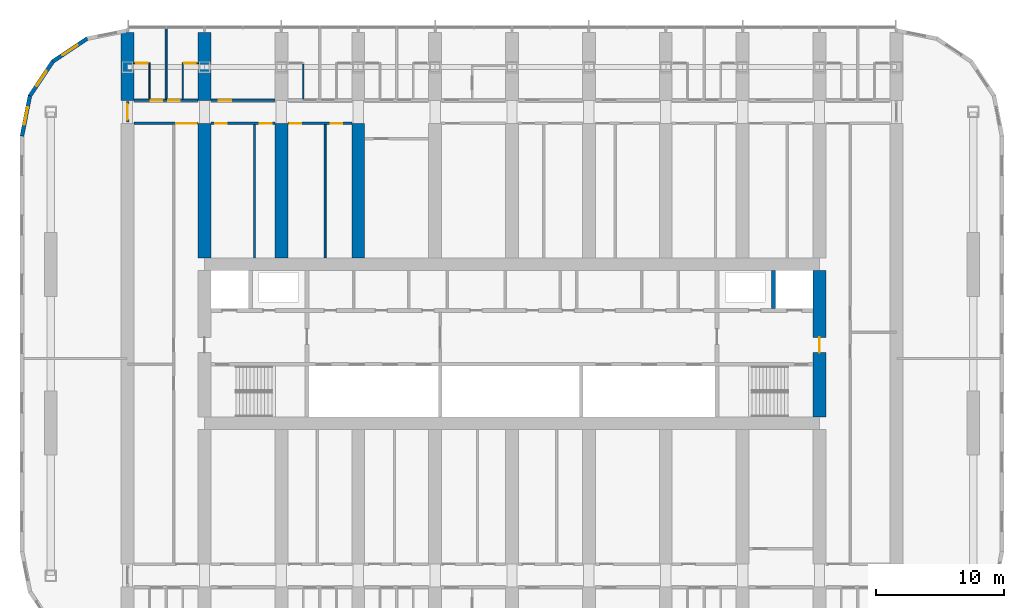
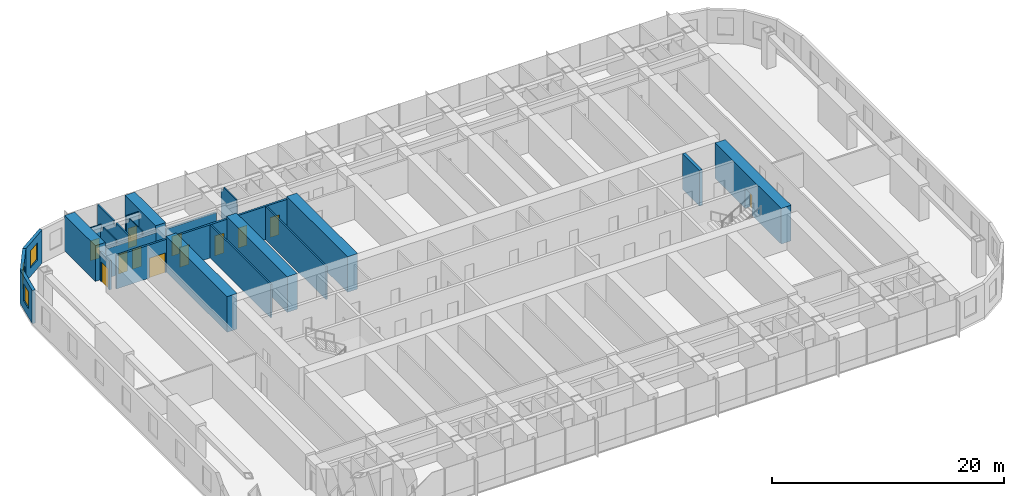
# One storey, part 14 of 23: 24 walls, 12 doors, 3 windows, 15 openings.
"""IFC4 building model written with IfcOpenShell, lengths in metres."""

from ifc_helpers import new_model, si_unit, direction, frame, frame_2d, origin, place, context, subcontext, project, spatial, polyline, rectangle, outline, extrude, material, layer, layer_set, type_object, element, fill, save


model = new_model("IFC4")

# Units and contexts
model_context = context("Model", 3, precision=1e-05, world=origin(), true_north=direction((0.0, 1.0)))
body_context = subcontext(model_context, "Body", "Model", "MODEL_VIEW")
ifc_project = project(units=[si_unit("LENGTHUNIT", "METRE"), si_unit("AREAUNIT", "SQUARE_METRE"), si_unit("VOLUMEUNIT", "CUBIC_METRE"), si_unit("PLANEANGLEUNIT", "RADIAN"), si_unit("MASSUNIT", "GRAM", prefix="KILO")], contexts=[model_context])

# Site, building, storey
site_placement = place(None, origin())
site = spatial("IfcSite", under=ifc_project, at=site_placement, CompositionType="ELEMENT")
building_placement = place(site_placement, origin())
building = spatial("IfcBuilding", under=site, at=building_placement, Name="Orbita Commons", CompositionType="ELEMENT")
storey_placement = place(building_placement, frame((0.0, 0.0, 46.449951171875)))
storey = spatial("IfcBuildingStorey", under=building, at=storey_placement, Name="L11", CompositionType="ELEMENT", Elevation=46.449951171875)

# Wall
ifc_material_1 = material(Name="Concrete C50/60", Category="concrete")
ifc_layer_1 = layer(ifc_material_1, 0.300048828125)
ifc_layer_set_1 = layer_set([ifc_layer_1], Name="Concrete C50/60")
wall_type_1 = type_object("IfcWallType", Name="Core inner wall 300 C50/60", PredefinedType="SHEAR", material=ifc_layer_set_1)
wall_1_placement = place(storey_placement, frame((62.39990234375, 34.75, 0.0), z_axis=(0.0, 0.0, 1.0), x_axis=(0.0, 1.0, 0.0)))
element("IfcWall", 1, at=wall_1_placement, inside=storey, type_object=wall_type_1, Name="Firefighting lift FL2 shaft wall L11", PredefinedType="SHEAR", context=body_context, shape_type="SweptSolid", body=[
    extrude(rectangle(XDim=2.949951171875, YDim=0.300048828125, at=frame_2d((1.47509765625, 0.0))), origin(), (0.0, 0.0, 1.0), 3.75),
])

# Wall, opening, door
ifc_material_2 = material(Name="Concrete C50/60", Category="concrete")
ifc_layer_2 = layer(ifc_material_2, 1.0)
ifc_layer_set_2 = layer_set([ifc_layer_2], Name="Concrete C50/60")
wall_type_2 = type_object("IfcWallType", Name="Core wall 1000 C50/60", PredefinedType="SHEAR", material=ifc_layer_set_2)
wall_2_placement = place(storey_placement, frame((66.0, 26.300048828125, 0.0), z_axis=(0.0, 0.0, 1.0), x_axis=(0.0, 1.0, 0.0)))
wall_2 = element("IfcWall", 2, at=wall_2_placement, inside=storey, type_object=wall_type_2, Name="Core end wall east L11", PredefinedType="SHEAR", context=body_context, shape_type="SweptSolid", body=[
    extrude(rectangle(XDim=11.39990234375, YDim=1.0, at=frame_2d((5.699951171875, 0.0))), origin(), (0.0, 0.0, 1.0), 3.75),
])
opening_1_placement = place(wall_2_placement, frame((5.0, 0.0, 0.0)))
opening_1 = element("IfcOpeningElement", 3, at=opening_1_placement, cuts=wall_2, Name="Opening D01", PredefinedType="OPENING", context=body_context, shape_type="SweptSolid", body=[
    extrude(rectangle(XDim=1.199951171875, YDim=2.10009765625, at=frame_2d((0.60009765625, 1.050048828125))), frame((0.0, 0.510009765625, 0.0), z_axis=(0.0, -1.0, 0.0), x_axis=(1.0, 0.0, 0.0)), (0.0, 0.0, 1.0), 1.02001953125),
])
ifc_material_3 = material(Name="Steel-faced fire door leaf", Category="steel")
door_type_1 = type_object("IfcDoorType", Name="Fire door 90 min 1200x2100", OperationType="SINGLE_SWING_LEFT", PredefinedType="DOOR", material=ifc_material_3)
door_1_placement = place(opening_1_placement, origin())
door_1 = element("IfcDoor", 4, at=door_1_placement, inside=storey, type_object=door_type_1, Name="Firefighting lobby east door", OperationType="SINGLE_SWING_LEFT", OverallHeight=2.10009765625, OverallWidth=1.199951171875, PredefinedType="DOOR", context=body_context, shape_type="SweptSolid", body=[
    extrude(rectangle(XDim=1.199951171875, YDim=2.10009765625, at=frame_2d((0.60009765625, 1.050048828125))), frame((0.0, 0.02490234375, 0.0), z_axis=(0.0, -1.0, 0.0), x_axis=(1.0, 0.0, 0.0)), (0.0, 0.0, 1.0), 0.050048828125),
])
fill(opening_1, door_1)

# Wall, openings, doors
ifc_material_4 = material(Name="Concrete blockwork", Category="masonry")
ifc_layer_3 = layer(ifc_material_4, 0.199951171875)
ifc_layer_set_3 = layer_set([ifc_layer_3], Name="Concrete blockwork")
wall_type_3 = type_object("IfcWallType", Name="Corridor wall 200 blockwork", PredefinedType="SOLIDWALL", material=ifc_layer_set_3)
wall_3_placement = place(storey_placement, frame((12.5, 51.0, 0.0), z_axis=(0.0, 0.0, 1.0), x_axis=(1.0, 0.0, 0.0)))
wall_3 = element("IfcWall", 5, at=wall_3_placement, inside=storey, type_object=wall_type_3, Name="Corridor wall 200 blockwork L11", PredefinedType="SOLIDWALL", context=body_context, shape_type="SweptSolid", body=[
    extrude(outline(polyline([(0.0, 0.0), (5.0, 0.0), (5.0, 3.10009765625), (0.0, 3.10009765625), (0.0, 0.0)])), frame((0.0, 0.10009765625, 0.0), z_axis=(0.0, -1.0, 0.0), x_axis=(1.0, 0.0, 0.0)), (0.0, 0.0, 1.0), 0.199951171875),
])
opening_2_placement = place(wall_3_placement, frame((1.300048828125, 0.0, 0.0)))
opening_2 = element("IfcOpeningElement", 6, at=opening_2_placement, cuts=wall_3, Name="Opening D11", PredefinedType="OPENING", context=body_context, shape_type="SweptSolid", body=[
    extrude(rectangle(XDim=0.89990234375, YDim=2.10009765625, at=frame_2d((0.449951171875, 1.050048828125))), frame((0.0, 0.10986328125, 0.0), z_axis=(0.0, -1.0, 0.0), x_axis=(1.0, 0.0, 0.0)), (0.0, 0.0, 1.0), 0.219970703125),
])
opening_3_placement = place(wall_3_placement, frame((2.675048828125, 0.0, 0.0)))
opening_3 = element("IfcOpeningElement", 7, at=opening_3_placement, cuts=wall_3, Name="Opening D11", PredefinedType="OPENING", context=body_context, shape_type="SweptSolid", body=[
    extrude(rectangle(XDim=0.89990234375, YDim=2.10009765625, at=frame_2d((0.449951171875, 1.050048828125))), frame((0.0, 0.10986328125, 0.0), z_axis=(0.0, -1.0, 0.0), x_axis=(1.0, 0.0, 0.0)), (0.0, 0.0, 1.0), 0.219970703125),
])
ifc_material_5 = material(Name="Steel-faced fire door leaf", Category="steel")
door_type_2 = type_object("IfcDoorType", Name="Corridor door 20 min 900x2100", OperationType="SINGLE_SWING_LEFT", PredefinedType="DOOR", material=ifc_material_5)
door_2_placement = place(opening_2_placement, origin())
door_2 = element("IfcDoor", 8, at=door_2_placement, inside=storey, type_object=door_type_2, Name="House bedroom L11-N00 door", OperationType="SINGLE_SWING_LEFT", OverallHeight=2.10009765625, OverallWidth=0.89990234375, PredefinedType="DOOR", context=body_context, shape_type="SweptSolid", body=[
    extrude(rectangle(XDim=0.89990234375, YDim=2.10009765625, at=frame_2d((0.449951171875, 1.050048828125))), frame((0.0, 0.02490234375, 0.0), z_axis=(0.0, -1.0, 0.0), x_axis=(1.0, 0.0, 0.0)), (0.0, 0.0, 1.0), 0.050048828125),
])
fill(opening_2, door_2)
door_3_placement = place(opening_3_placement, origin())
door_3 = element("IfcDoor", 9, at=door_3_placement, inside=storey, type_object=door_type_2, Name="House bedroom L11-N01 door", OperationType="SINGLE_SWING_LEFT", OverallHeight=2.10009765625, OverallWidth=0.89990234375, PredefinedType="DOOR", context=body_context, shape_type="SweptSolid", body=[
    extrude(rectangle(XDim=0.89990234375, YDim=2.10009765625, at=frame_2d((0.449951171875, 1.050048828125))), frame((0.0, 0.02490234375, 0.0), z_axis=(0.0, -1.0, 0.0), x_axis=(1.0, 0.0, 0.0)), (0.0, 0.0, 1.0), 0.050048828125),
])
fill(opening_3, door_3)

# Wall, opening, door
wall_4_placement = place(storey_placement, frame((18.5, 51.0, 0.0), z_axis=(0.0, 0.0, 1.0), x_axis=(1.0, 0.0, 0.0)))
wall_4 = element("IfcWall", 10, at=wall_4_placement, inside=storey, type_object=wall_type_3, Name="Corridor wall 200 blockwork L11", PredefinedType="SOLIDWALL", context=body_context, shape_type="SweptSolid", body=[
    extrude(outline(polyline([(0.0, 0.0), (5.0, 0.0), (5.0, 3.10009765625), (0.0, 3.10009765625), (0.0, 0.0)])), frame((0.0, 0.10009765625, 0.0), z_axis=(0.0, -1.0, 0.0), x_axis=(1.0, 0.0, 0.0)), (0.0, 0.0, 1.0), 0.199951171875),
])
opening_4_placement = place(wall_4_placement, frame((0.60009765625, 0.0, 0.0)))
opening_4 = element("IfcOpeningElement", 11, at=opening_4_placement, cuts=wall_4, Name="Opening D06", PredefinedType="OPENING", context=body_context, shape_type="SweptSolid", body=[
    extrude(rectangle(XDim=1.0, YDim=2.10009765625, at=frame_2d((0.5, 1.050048828125))), frame((0.0, 0.10986328125, 0.0), z_axis=(0.0, -1.0, 0.0), x_axis=(1.0, 0.0, 0.0)), (0.0, 0.0, 1.0), 0.219970703125),
])
ifc_material_6 = material(Name="Steel-faced fire door leaf", Category="steel")
door_type_3 = type_object("IfcDoorType", Name="Corridor door 20 min 1000x2100", OperationType="SINGLE_SWING_LEFT", PredefinedType="DOOR", material=ifc_material_6)
door_4_placement = place(opening_4_placement, origin())
door_4 = element("IfcDoor", 12, at=door_4_placement, inside=storey, type_object=door_type_3, Name="House common room L11-N02 door", OperationType="SINGLE_SWING_LEFT", OverallHeight=2.10009765625, OverallWidth=1.0, PredefinedType="DOOR", context=body_context, shape_type="SweptSolid", body=[
    extrude(rectangle(XDim=1.0, YDim=2.10009765625, at=frame_2d((0.5, 1.050048828125))), frame((0.0, 0.02490234375, 0.0), z_axis=(0.0, -1.0, 0.0), x_axis=(1.0, 0.0, 0.0)), (0.0, 0.0, 1.0), 0.050048828125),
])
fill(opening_4, door_4)

wall_5_placement = place(storey_placement, frame((12.0, 49.300048828125, 0.0), z_axis=(0.0, 0.0, 1.0), x_axis=(0.0, 1.0, 0.0)))
wall_5 = element("IfcWall", 13, at=wall_5_placement, inside=storey, type_object=wall_type_3, Name="Corridor wall 200 blockwork L11", PredefinedType="SOLIDWALL", context=body_context, shape_type="SweptSolid", body=[
    extrude(outline(polyline([(0.0, 0.0), (1.599853515625, 0.0), (1.60009765625, 3.050048828125), (0.0, 3.050048828125), (0.0, 0.0)])), frame((0.0, 0.10009765625, 0.0), z_axis=(0.0, -1.0, 0.0), x_axis=(1.0, 0.0, 0.0)), (0.0, 0.0, 1.0), 0.199951171875),
])
opening_5_placement = place(wall_5_placement, frame((0.199951171875, 0.0, 0.0)))
opening_5 = element("IfcOpeningElement", 14, at=opening_5_placement, cuts=wall_5, Name="Opening D12", PredefinedType="OPENING", context=body_context, shape_type="SweptSolid", body=[
    extrude(rectangle(XDim=1.199951171875, YDim=2.10009765625, at=frame_2d((0.60009765625, 1.050048828125))), frame((0.0, 0.10986328125, 0.0), z_axis=(0.0, -1.0, 0.0), x_axis=(1.0, 0.0, 0.0)), (0.0, 0.0, 1.0), 0.219970703125),
])
ifc_material_7 = material(Name="Steel-faced fire door leaf", Category="steel")
door_type_4 = type_object("IfcDoorType", Name="Double corridor door 20 min 1200x2100", OperationType="DOUBLE_DOOR_SINGLE_SWING", PredefinedType="DOOR", material=ifc_material_7)
door_5_placement = place(opening_5_placement, origin())
door_5 = element("IfcDoor", 15, at=door_5_placement, inside=storey, type_object=door_type_4, Name="Lounge doors", OperationType="DOUBLE_DOOR_SINGLE_SWING", OverallHeight=2.10009765625, OverallWidth=1.199951171875, PredefinedType="DOOR", context=body_context, shape_type="SweptSolid", body=[
    extrude(rectangle(XDim=1.199951171875, YDim=2.10009765625, at=frame_2d((0.60009765625, 1.050048828125))), frame((0.0, 0.02490234375, 0.0), z_axis=(0.0, -1.0, 0.0), x_axis=(1.0, 0.0, 0.0)), (0.0, 0.0, 1.0), 0.050048828125),
])
fill(opening_5, door_5)

ifc_material_8 = material(Name="Hollow concrete block 200", Category="concrete")
ifc_layer_4 = layer(ifc_material_8, 0.199951171875)
ifc_layer_set_4 = layer_set([ifc_layer_4], Name="Hollow concrete block 200")
wall_type_4 = type_object("IfcWallType", Name="Corridor wall 200 hollow concrete block", PredefinedType="SOLIDWALL", material=ifc_layer_set_4)
wall_6_placement = place(storey_placement, frame((12.5, 49.199951171875, 0.0), z_axis=(0.0, 0.0, 1.0), x_axis=(1.0, 0.0, 0.0)))
wall_6 = element("IfcWall", 16, at=wall_6_placement, inside=storey, type_object=wall_type_4, Name="Corridor wall 200 hollow concrete block L11", PredefinedType="SOLIDWALL", context=body_context, shape_type="SweptSolid", body=[
    extrude(rectangle(XDim=5.0, YDim=0.199951171875, at=frame_2d((2.5, 0.0))), origin(), (0.0, 0.0, 1.0), 3.5),
])
opening_6_placement = place(wall_6_placement, frame((3.300048828125, 0.0, 0.0)))
opening_6 = element("IfcOpeningElement", 17, at=opening_6_placement, cuts=wall_6, Name="Opening D10", PredefinedType="OPENING", context=body_context, shape_type="SweptSolid", body=[
    extrude(rectangle(XDim=1.60009765625, YDim=2.10009765625, at=frame_2d((0.800048828125, 1.050048828125))), frame((0.0, 0.10986328125, 0.0), z_axis=(0.0, -1.0, 0.0), x_axis=(1.0, 0.0, 0.0)), (0.0, 0.0, 1.0), 0.219970703125),
])
ifc_material_9 = material(Name="Steel-faced fire door leaf", Category="steel")
door_type_5 = type_object("IfcDoorType", Name="Double corridor door 20 min 1600x2100", OperationType="DOUBLE_DOOR_SINGLE_SWING", PredefinedType="DOOR", material=ifc_material_9)
door_6_placement = place(opening_6_placement, origin())
door_6 = element("IfcDoor", 18, at=door_6_placement, inside=storey, type_object=door_type_5, Name="Cross corridor doors", OperationType="DOUBLE_DOOR_SINGLE_SWING", OverallHeight=2.10009765625, OverallWidth=1.60009765625, PredefinedType="DOOR", context=body_context, shape_type="SweptSolid", body=[
    extrude(rectangle(XDim=1.60009765625, YDim=2.10009765625, at=frame_2d((0.800048828125, 1.050048828125))), frame((0.0, 0.02490234375, 0.0), z_axis=(0.0, -1.0, 0.0), x_axis=(1.0, 0.0, 0.0)), (0.0, 0.0, 1.0), 0.050048828125),
])
fill(opening_6, door_6)

# Wall, openings, doors
wall_7_placement = place(storey_placement, frame((18.5, 49.199951171875, 0.0), z_axis=(0.0, 0.0, 1.0), x_axis=(1.0, 0.0, 0.0)))
wall_7 = element("IfcWall", 19, at=wall_7_placement, inside=storey, type_object=wall_type_4, Name="Corridor wall 200 hollow concrete block L11", PredefinedType="SOLIDWALL", context=body_context, shape_type="SweptSolid", body=[
    extrude(rectangle(XDim=5.0, YDim=0.199951171875, at=frame_2d((2.5, 0.0))), origin(), (0.0, 0.0, 1.0), 3.5),
])
opening_7_placement = place(wall_7_placement, frame((0.35009765625, 0.0, 0.0)))
opening_7 = element("IfcOpeningElement", 20, at=opening_7_placement, cuts=wall_7, Name="Opening D11", PredefinedType="OPENING", context=body_context, shape_type="SweptSolid", body=[
    extrude(rectangle(XDim=0.89990234375, YDim=2.10009765625, at=frame_2d((0.449951171875, 1.050048828125))), frame((0.0, 0.10986328125, 0.0), z_axis=(0.0, -1.0, 0.0), x_axis=(1.0, 0.0, 0.0)), (0.0, 0.0, 1.0), 0.219970703125),
])
opening_8_placement = place(wall_7_placement, frame((3.830078125, 0.0, 0.0)))
opening_8 = element("IfcOpeningElement", 21, at=opening_8_placement, cuts=wall_7, Name="Opening D11", PredefinedType="OPENING", context=body_context, shape_type="SweptSolid", body=[
    extrude(rectangle(XDim=0.89990234375, YDim=2.10009765625, at=frame_2d((0.449951171875, 1.050048828125))), frame((0.0, 0.10986328125, 0.0), z_axis=(0.0, -1.0, 0.0), x_axis=(1.0, 0.0, 0.0)), (0.0, 0.0, 1.0), 0.219970703125),
])
door_7_placement = place(opening_7_placement, origin())
door_7 = element("IfcDoor", 22, at=door_7_placement, inside=storey, type_object=door_type_2, Name="Storage lockers L11-BDN18 door", OperationType="SINGLE_SWING_LEFT", OverallHeight=2.10009765625, OverallWidth=0.89990234375, PredefinedType="DOOR", context=body_context, shape_type="SweptSolid", body=[
    extrude(rectangle(XDim=0.89990234375, YDim=2.10009765625, at=frame_2d((0.449951171875, 1.050048828125))), frame((0.0, 0.02490234375, 0.0), z_axis=(0.0, -1.0, 0.0), x_axis=(1.0, 0.0, 0.0)), (0.0, 0.0, 1.0), 0.050048828125),
])
fill(opening_7, door_7)
door_8_placement = place(opening_8_placement, origin())
door_8 = element("IfcDoor", 23, at=door_8_placement, inside=storey, type_object=door_type_2, Name="Battery and UPS room L11-BDN18n door", OperationType="SINGLE_SWING_LEFT", OverallHeight=2.10009765625, OverallWidth=0.89990234375, PredefinedType="DOOR", context=body_context, shape_type="SweptSolid", body=[
    extrude(rectangle(XDim=0.89990234375, YDim=2.10009765625, at=frame_2d((0.449951171875, 1.050048828125))), frame((0.0, 0.02490234375, 0.0), z_axis=(0.0, -1.0, 0.0), x_axis=(1.0, 0.0, 0.0)), (0.0, 0.0, 1.0), 0.050048828125),
])
fill(opening_8, door_8)

wall_8_placement = place(storey_placement, frame((24.5, 49.199951171875, 0.0), z_axis=(0.0, 0.0, 1.0), x_axis=(1.0, 0.0, 0.0)))
wall_8 = element("IfcWall", 24, at=wall_8_placement, inside=storey, type_object=wall_type_4, Name="Corridor wall 200 hollow concrete block L11", PredefinedType="SOLIDWALL", context=body_context, shape_type="SweptSolid", body=[
    extrude(rectangle(XDim=5.0, YDim=0.199951171875, at=frame_2d((2.5, 0.0))), origin(), (0.0, 0.0, 1.0), 3.5),
])
opening_9_placement = place(wall_8_placement, frame((0.14990234375, 0.0, 0.0)))
opening_9 = element("IfcOpeningElement", 25, at=opening_9_placement, cuts=wall_8, Name="Opening D11", PredefinedType="OPENING", context=body_context, shape_type="SweptSolid", body=[
    extrude(rectangle(XDim=0.89990234375, YDim=2.10009765625, at=frame_2d((0.449951171875, 1.050048828125))), frame((0.0, 0.10986328125, 0.0), z_axis=(0.0, -1.0, 0.0), x_axis=(1.0, 0.0, 0.0)), (0.0, 0.0, 1.0), 0.219970703125),
])
opening_10_placement = place(wall_8_placement, frame((3.3349609375, 0.0, 0.0)))
opening_10 = element("IfcOpeningElement", 26, at=opening_10_placement, cuts=wall_8, Name="Opening D11", PredefinedType="OPENING", context=body_context, shape_type="SweptSolid", body=[
    extrude(rectangle(XDim=0.89990234375, YDim=2.10009765625, at=frame_2d((0.449951171875, 1.050048828125))), frame((0.0, 0.10986328125, 0.0), z_axis=(0.0, -1.0, 0.0), x_axis=(1.0, 0.0, 0.0)), (0.0, 0.0, 1.0), 0.219970703125),
])
door_9_placement = place(opening_9_placement, origin())
door_9 = element("IfcDoor", 27, at=door_9_placement, inside=storey, type_object=door_type_2, Name="Ventilation plant room south L11-BDN24 door", OperationType="SINGLE_SWING_LEFT", OverallHeight=2.10009765625, OverallWidth=0.89990234375, PredefinedType="DOOR", context=body_context, shape_type="SweptSolid", body=[
    extrude(rectangle(XDim=0.89990234375, YDim=2.10009765625, at=frame_2d((0.449951171875, 1.050048828125))), frame((0.0, 0.02490234375, 0.0), z_axis=(0.0, -1.0, 0.0), x_axis=(1.0, 0.0, 0.0)), (0.0, 0.0, 1.0), 0.050048828125),
])
fill(opening_9, door_9)
door_10_placement = place(opening_10_placement, origin())
door_10 = element("IfcDoor", 28, at=door_10_placement, inside=storey, type_object=door_type_2, Name="Sprinkler valve room L11-BDN24n door", OperationType="SINGLE_SWING_LEFT", OverallHeight=2.10009765625, OverallWidth=0.89990234375, PredefinedType="DOOR", context=body_context, shape_type="SweptSolid", body=[
    extrude(rectangle(XDim=0.89990234375, YDim=2.10009765625, at=frame_2d((0.449951171875, 1.050048828125))), frame((0.0, 0.02490234375, 0.0), z_axis=(0.0, -1.0, 0.0), x_axis=(1.0, 0.0, 0.0)), (0.0, 0.0, 1.0), 0.050048828125),
])
fill(opening_10, door_10)

# Walls
ifc_material_10 = material(Name="Concrete C50/60", Category="concrete")
ifc_layer_5 = layer(ifc_material_10, 1.0)
ifc_layer_set_5 = layer_set([ifc_layer_5], Name="Concrete C50/60")
wall_type_5 = type_object("IfcWallType", Name="Cross wall 1000 C50/60", PredefinedType="SHEAR", material=ifc_layer_set_5)
for number, where, z_axis, x_axis, name in (
    (29, (12.0, 51.0, 0.0), (0.0, 0.0, 1.0), (0.0, 1.0, 0.0), "Cross wall 3 north outer L11"),
    (30, (18.0, 51.0, 0.0), (0.0, 0.0, 1.0), (0.0, 1.0, 0.0), "Cross wall 4 north outer L11"),
):
    element("IfcWall", number, at=place(storey_placement, frame(where, z_axis=z_axis, x_axis=x_axis)), inside=storey, type_object=wall_type_5, Name=name, PredefinedType="SHEAR", context=body_context, shape_type="SweptSolid", body=[
        extrude(rectangle(XDim=5.300048828125, YDim=1.0, at=frame_2d((2.64990234375, 0.0))), origin(), (0.0, 0.0, 1.0), 3.75),
    ])
for number, where, z_axis, x_axis, name in (
    (31, (18.0, 38.699951171875, 0.0), (0.0, 0.0, 1.0), (0.0, 1.0, 0.0), "Cross wall 4 north inner L11"),
    (32, (24.0, 38.699951171875, 0.0), (0.0, 0.0, 1.0), (0.0, 1.0, 0.0), "Cross wall 5 north inner L11"),
    (33, (30.0, 38.699951171875, 0.0), (0.0, 0.0, 1.0), (0.0, 1.0, 0.0), "Cross wall 6 north inner L11"),
):
    element("IfcWall", number, at=place(storey_placement, frame(where, z_axis=z_axis, x_axis=x_axis)), inside=storey, type_object=wall_type_5, Name=name, PredefinedType="SHEAR", context=body_context, shape_type="SweptSolid", body=[
        extrude(rectangle(XDim=10.5, YDim=1.0, at=frame_2d((5.25, 0.0))), origin(), (0.0, 0.0, 1.0), 3.75),
    ])

# Wall, opening, door
ifc_material_11 = material(Name="Moisture-resistant plasterboard on steel studs", Category="steel")
ifc_layer_6 = layer(ifc_material_11, 0.10009765625)
ifc_layer_set_6 = layer_set([ifc_layer_6], Name="Moisture-resistant plasterboard on steel studs")
wall_type_6 = type_object("IfcWallType", Name="En-suite partition 100", PredefinedType="PARTITIONING", material=ifc_layer_set_6)
wall_9_placement = place(storey_placement, frame((12.449951171875, 53.89990234375, 0.0), z_axis=(0.0, 0.0, 1.0), x_axis=(1.0, 0.0, 0.0)))
wall_9 = element("IfcWall", 34, at=wall_9_placement, inside=storey, type_object=wall_type_6, Name="En-suite partition 100 L11", PredefinedType="PARTITIONING", context=body_context, shape_type="SweptSolid", body=[
    extrude(rectangle(XDim=1.300048828125, YDim=0.10009765625, at=frame_2d((0.64990234375, 0.0))), origin(), (0.0, 0.0, 1.0), 3.5),
])
opening_11_placement = place(wall_9_placement, frame((0.22509765625, 0.0, 0.0)))
opening_11 = element("IfcOpeningElement", 35, at=opening_11_placement, cuts=wall_9, Name="Opening D09", PredefinedType="OPENING", context=body_context, shape_type="SweptSolid", body=[
    extrude(rectangle(XDim=0.89990234375, YDim=2.10009765625, at=frame_2d((0.449951171875, 1.050048828125))), frame((0.0, 0.06005859375, 0.0), z_axis=(0.0, -1.0, 0.0), x_axis=(1.0, 0.0, 0.0)), (0.0, 0.0, 1.0), 0.1201171875),
])
ifc_material_12 = material(Name="Laminated timber door leaf", Category="wood")
door_type_6 = type_object("IfcDoorType", Name="En-suite door 900x2100", OperationType="SINGLE_SWING_RIGHT", PredefinedType="DOOR", material=ifc_material_12)
door_11_placement = place(opening_11_placement, origin())
door_11 = element("IfcDoor", 36, at=door_11_placement, inside=storey, type_object=door_type_6, Name="En-suite L11-N00 door", OperationType="SINGLE_SWING_RIGHT", OverallHeight=2.10009765625, OverallWidth=0.89990234375, PredefinedType="DOOR", context=body_context, shape_type="SweptSolid", body=[
    extrude(rectangle(XDim=0.89990234375, YDim=2.10009765625, at=frame_2d((0.449951171875, 1.050048828125))), frame((0.0, 0.02490234375, 0.0), z_axis=(0.0, -1.0, 0.0), x_axis=(1.0, 0.0, 0.0)), (0.0, 0.0, 1.0), 0.050048828125),
])
fill(opening_11, door_11)

# Wall
wall_10_placement = place(storey_placement, frame((13.699951171875, 53.85009765625, 0.0), z_axis=(0.0, 0.0, 1.0), x_axis=(0.0, -1.0, 0.0)))
element("IfcWall", 37, at=wall_10_placement, inside=storey, type_object=wall_type_6, Name="En-suite partition 100 L11", PredefinedType="PARTITIONING", context=body_context, shape_type="SweptSolid", body=[
    extrude(outline(polyline([(0.0, 0.0), (2.75, 0.0), (2.75, 3.10009765625), (2.701904296875, 3.10009765625), (2.699951171875, 3.5), (0.451904296875, 3.5), (0.449951171875, 3.10009765625), (0.0, 3.10009765625), (0.0, 0.0)])), frame((0.0, 0.050048828125, 0.0), z_axis=(0.0, -1.0, 0.0), x_axis=(1.0, 0.0, 0.0)), (0.0, 0.0, 1.0), 0.10009765625),
])

# Wall, opening, door
wall_11_placement = place(storey_placement, frame((16.25, 53.89990234375, 0.0), z_axis=(0.0, 0.0, 1.0), x_axis=(1.0, 0.0, 0.0)))
wall_11 = element("IfcWall", 38, at=wall_11_placement, inside=storey, type_object=wall_type_6, Name="En-suite partition 100 L11", PredefinedType="PARTITIONING", context=body_context, shape_type="SweptSolid", body=[
    extrude(rectangle(XDim=1.300048828125, YDim=0.10009765625, at=frame_2d((0.64990234375, 0.0))), origin(), (0.0, 0.0, 1.0), 3.5),
])
opening_12_placement = place(wall_11_placement, frame((0.175048828125, 0.0, 0.0)))
opening_12 = element("IfcOpeningElement", 39, at=opening_12_placement, cuts=wall_11, Name="Opening D09", PredefinedType="OPENING", context=body_context, shape_type="SweptSolid", body=[
    extrude(rectangle(XDim=0.89990234375, YDim=2.10009765625, at=frame_2d((0.449951171875, 1.050048828125))), frame((0.0, 0.06005859375, 0.0), z_axis=(0.0, -1.0, 0.0), x_axis=(1.0, 0.0, 0.0)), (0.0, 0.0, 1.0), 0.1201171875),
])
door_12_placement = place(opening_12_placement, origin())
door_12 = element("IfcDoor", 40, at=door_12_placement, inside=storey, type_object=door_type_6, Name="En-suite L11-N01 door", OperationType="SINGLE_SWING_RIGHT", OverallHeight=2.10009765625, OverallWidth=0.89990234375, PredefinedType="DOOR", context=body_context, shape_type="SweptSolid", body=[
    extrude(rectangle(XDim=0.89990234375, YDim=2.10009765625, at=frame_2d((0.449951171875, 1.050048828125))), frame((0.0, 0.02490234375, 0.0), z_axis=(0.0, -1.0, 0.0), x_axis=(1.0, 0.0, 0.0)), (0.0, 0.0, 1.0), 0.050048828125),
])
fill(opening_12, door_12)

# Walls
for number, where, z_axis, x_axis, name in (
    (41, (16.300048828125, 53.85009765625, 0.0), (0.0, 0.0, 1.0), (0.0, -1.0, 0.0), "En-suite partition 100 L11"),
    (42, (25.699951171875, 53.85009765625, 0.0), (0.0, 0.0, 1.0), (0.0, -1.0, 0.0), "En-suite partition 100 L11"),
):
    element("IfcWall", number, at=place(storey_placement, frame(where, z_axis=z_axis, x_axis=x_axis)), inside=storey, type_object=wall_type_6, Name=name, PredefinedType="PARTITIONING", context=body_context, shape_type="SweptSolid", body=[
        extrude(outline(polyline([(0.0, 0.0), (2.75, 0.0), (2.75, 3.10009765625), (2.701904296875, 3.10009765625), (2.699951171875, 3.5), (0.451904296875, 3.5), (0.449951171875, 3.10009765625), (0.0, 3.10009765625), (0.0, 0.0)])), frame((0.0, 0.050048828125, 0.0), z_axis=(0.0, -1.0, 0.0), x_axis=(1.0, 0.0, 0.0)), (0.0, 0.0, 1.0), 0.10009765625),
    ])
ifc_material_13 = material(Name="Gypsum plasterboard on steel studs", Category="steel")
ifc_layer_7 = layer(ifc_material_13, 0.14990234375)
ifc_layer_set_7 = layer_set([ifc_layer_7], Name="Gypsum plasterboard on steel studs")
wall_type_7 = type_object("IfcWallType", Name="Partition 150 plasterboard", PredefinedType="PARTITIONING", material=ifc_layer_set_7)
for number, where, z_axis, x_axis, name in (
    (43, (21.905029296875, 38.699951171875, 0.0), (0.0, 0.0, 1.0), (0.0, 1.0, 0.0), "Partition 150 plasterboard L11"),
    (44, (27.409912109375, 38.699951171875, 0.0), (0.0, 0.0, 1.0), (0.0, 1.0, 0.0), "Partition 150 plasterboard L11"),
):
    element("IfcWall", number, at=place(storey_placement, frame(where, z_axis=z_axis, x_axis=x_axis)), inside=storey, type_object=wall_type_7, Name=name, PredefinedType="PARTITIONING", context=body_context, shape_type="SweptSolid", body=[
        extrude(rectangle(XDim=10.400146484375, YDim=0.14990234375, at=frame_2d((5.2001953125, 0.0))), origin(), (0.0, 0.0, 1.0), 3.5),
    ])
ifc_material_14 = material(Name="Gypsum plasterboard on steel studs", Category="steel")
ifc_layer_8 = layer(ifc_material_14, 0.14990234375)
ifc_layer_set_8 = layer_set([ifc_layer_8], Name="Gypsum plasterboard on steel studs")
wall_type_8 = type_object("IfcWallType", Name="Party wall 150 plasterboard", PredefinedType="PARTITIONING", material=ifc_layer_set_8)
wall_12_placement = place(storey_placement, frame((15.0, 56.590087890625, 0.0), z_axis=(0.0, 0.0, 1.0), x_axis=(0.0, -1.0, 0.0)))
element("IfcWall", 45, at=wall_12_placement, inside=storey, type_object=wall_type_8, Name="Party wall 150 plasterboard L11", PredefinedType="PARTITIONING", context=body_context, shape_type="SweptSolid", body=[
    extrude(outline(polyline([(0.0, 0.0), (5.489990234375, 0.0), (5.489990234375, 3.10009765625), (5.44189453125, 3.10009765625), (5.43994140625, 3.5), (3.19189453125, 3.5), (3.18994140625, 3.10009765625), (2.7919921875, 3.10009765625), (2.7900390625, 3.5), (0.0, 3.5), (0.0, 0.0)])), frame((0.0, 0.074951171875, 0.0), z_axis=(0.0, -1.0, 0.0), x_axis=(1.0, 0.0, 0.0)), (0.0, 0.0, 1.0), 0.14990234375),
])

# Wall, opening, window
ifc_material_15 = material(Name="Precast concrete C40/50, white board-marked finish", Category="concrete")
ifc_layer_9 = layer(ifc_material_15, 0.300048828125)
ifc_layer_set_9 = layer_set([ifc_layer_9], Name="Precast concrete C40/50, white board-marked finish")
wall_type_9 = type_object("IfcWallType", Name="Precast concrete end shield 300", PredefinedType="SOLIDWALL", material=ifc_layer_set_9)
wall_13_placement = place(storey_placement, frame((8.843017578125, 55.822021484375, 0.0), z_axis=(0.0, 0.0, 1.0), x_axis=(-0.831478105043, -0.555557522525, 0.0)))
wall_13 = element("IfcWall", 46, at=wall_13_placement, inside=storey, type_object=wall_type_9, Name="End shield NW chord 2 L11", PredefinedType="SOLIDWALL", context=body_context, shape_type="SweptSolid", body=[
    extrude(outline(polyline([(-0.02978515625, -0.14990234375), (3.248779296875, -0.14990234375), (3.189208984375, 0.14990234375), (0.02978515625, 0.14990234375), (-0.02978515625, -0.14990234375)])), origin(), (0.0, 0.0, 1.0), 3.5),
])
opening_13_placement = place(wall_13_placement, frame((0.909423828125, 0.0, 0.89990234375)))
opening_13 = element("IfcOpeningElement", 47, at=opening_13_placement, cuts=wall_13, Name="Opening W02", PredefinedType="OPENING", context=body_context, shape_type="SweptSolid", body=[
    extrude(rectangle(XDim=1.39990234375, YDim=1.800048828125, at=frame_2d((0.699951171875, 0.89990234375))), frame((0.0, 0.159912109375, 0.0), z_axis=(0.0, -1.0, 0.0), x_axis=(1.0, 0.0, 0.0)), (0.0, 0.0, 1.0), 0.320068359375),
])
ifc_material_16 = material(Name="Aluminium frame, clear double glazing", Category="aluminium")
window_type = type_object("IfcWindowType", Name="Deep-set window 1400x1800", PartitioningType="SINGLE_PANEL", PredefinedType="WINDOW", material=ifc_material_16)
window_1_placement = place(opening_13_placement, origin())
window_1 = element("IfcWindow", 48, at=window_1_placement, inside=storey, type_object=window_type, Name="Window L11-NW1", OverallHeight=1.800048828125, OverallWidth=1.39990234375, PartitioningType="SINGLE_PANEL", PredefinedType="WINDOW", context=body_context, shape_type="SweptSolid", body=[
    extrude(rectangle(XDim=1.39990234375, YDim=1.800048828125, at=frame_2d((0.699951171875, 0.89990234375))), frame((0.0, 0.030029296875, 0.0), z_axis=(0.0, -1.0, 0.0), x_axis=(1.0, 0.0, 0.0)), (0.0, 0.0, 1.0), 0.06005859375),
])
fill(opening_13, window_1)

wall_14_placement = place(storey_placement, frame((6.16650390625, 54.03369140625, 0.0), z_axis=(0.0, 0.0, 1.0), x_axis=(-0.555609954424, -0.831443069936, 0.0)))
wall_14 = element("IfcWall", 49, at=wall_14_placement, inside=storey, type_object=wall_type_9, Name="End shield NW chord 3 L11", PredefinedType="SOLIDWALL", context=body_context, shape_type="SweptSolid", body=[
    extrude(outline(polyline([(-0.02978515625, -0.14990234375), (3.2490234375, -0.14990234375), (3.189453125, 0.14990234375), (0.02978515625, 0.14990234375), (-0.02978515625, -0.14990234375)])), origin(), (0.0, 0.0, 1.0), 3.5),
])
opening_14_placement = place(wall_14_placement, frame((0.909423828125, 0.0, 0.89990234375)))
opening_14 = element("IfcOpeningElement", 50, at=opening_14_placement, cuts=wall_14, Name="Opening W02", PredefinedType="OPENING", context=body_context, shape_type="SweptSolid", body=[
    extrude(rectangle(XDim=1.39990234375, YDim=1.800048828125, at=frame_2d((0.699951171875, 0.89990234375))), frame((0.0, 0.159912109375, 0.0), z_axis=(0.0, -1.0, 0.0), x_axis=(1.0, 0.0, 0.0)), (0.0, 0.0, 1.0), 0.320068359375),
])
window_2_placement = place(opening_14_placement, origin())
window_2 = element("IfcWindow", 51, at=window_2_placement, inside=storey, type_object=window_type, Name="Window L11-NW2", OverallHeight=1.800048828125, OverallWidth=1.39990234375, PartitioningType="SINGLE_PANEL", PredefinedType="WINDOW", context=body_context, shape_type="SweptSolid", body=[
    extrude(rectangle(XDim=1.39990234375, YDim=1.800048828125, at=frame_2d((0.699951171875, 0.89990234375))), frame((0.0, 0.030029296875, 0.0), z_axis=(0.0, -1.0, 0.0), x_axis=(1.0, 0.0, 0.0)), (0.0, 0.0, 1.0), 0.06005859375),
])
fill(opening_14, window_2)

wall_15_placement = place(storey_placement, frame((4.3779296875, 51.357177734375, 0.0), z_axis=(0.0, 0.0, 1.0), x_axis=(-0.195065901187, -0.980790137692, 0.0)))
wall_15 = element("IfcWall", 52, at=wall_15_placement, inside=storey, type_object=wall_type_9, Name="End shield NW chord 4 L11", PredefinedType="SOLIDWALL", context=body_context, shape_type="SweptSolid", body=[
    extrude(outline(polyline([(-0.02978515625, -0.14990234375), (3.23388671875, -0.14990234375), (3.2041015625, 0.14990234375), (0.02978515625, 0.14990234375), (-0.02978515625, -0.14990234375)])), origin(), (0.0, 0.0, 1.0), 3.5),
])
opening_15_placement = place(wall_15_placement, frame((0.909423828125, 0.0, 0.89990234375)))
opening_15 = element("IfcOpeningElement", 53, at=opening_15_placement, cuts=wall_15, Name="Opening W02", PredefinedType="OPENING", context=body_context, shape_type="SweptSolid", body=[
    extrude(rectangle(XDim=1.39990234375, YDim=1.800048828125, at=frame_2d((0.699951171875, 0.89990234375))), frame((0.0, 0.159912109375, 0.0), z_axis=(0.0, -1.0, 0.0), x_axis=(1.0, 0.0, 0.0)), (0.0, 0.0, 1.0), 0.320068359375),
])
window_3_placement = place(opening_15_placement, origin())
window_3 = element("IfcWindow", 54, at=window_3_placement, inside=storey, type_object=window_type, Name="Window L11-NW3", OverallHeight=1.800048828125, OverallWidth=1.39990234375, PartitioningType="SINGLE_PANEL", PredefinedType="WINDOW", context=body_context, shape_type="SweptSolid", body=[
    extrude(rectangle(XDim=1.39990234375, YDim=1.800048828125, at=frame_2d((0.699951171875, 0.89990234375))), frame((0.0, 0.030029296875, 0.0), z_axis=(0.0, -1.0, 0.0), x_axis=(1.0, 0.0, 0.0)), (0.0, 0.0, 1.0), 0.06005859375),
])
fill(opening_15, window_3)

save(model, "model.ifc")
